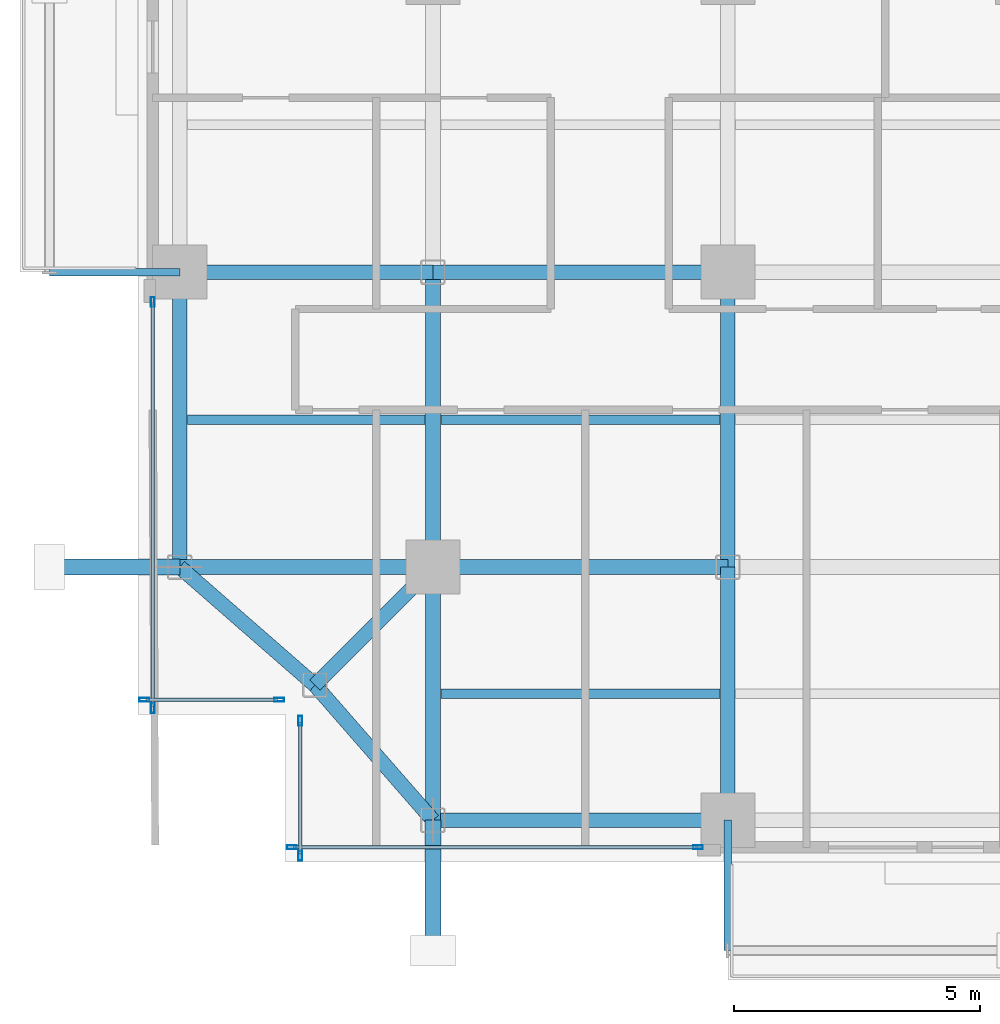
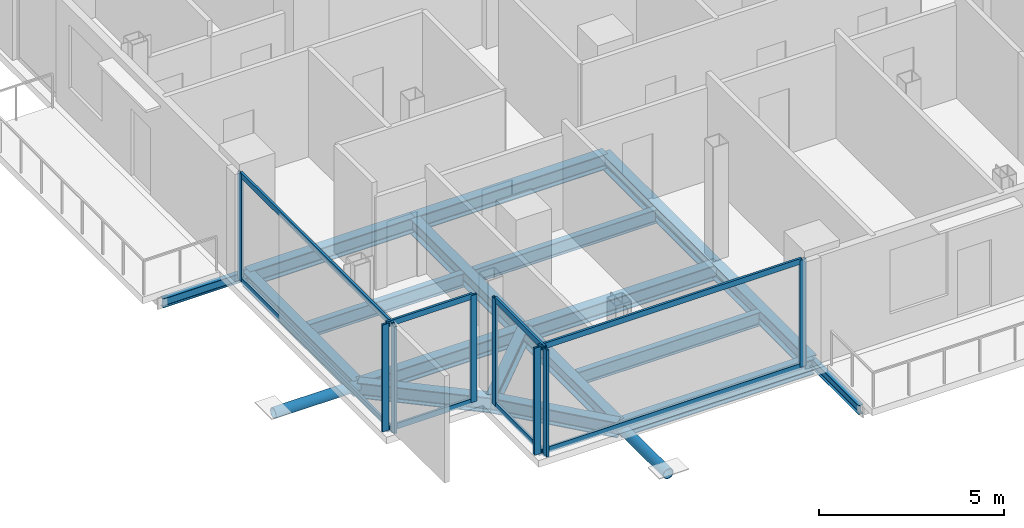
# One storey, part 2 of 24: 18 beams, 18 members, 4 elements without a shape of their own.
"""IFC4 building model written with IfcOpenShell, lengths in metres."""

from ifc_helpers import new_model, si_unit, direction, frame, origin, origin_2d, place, context, subcontext, project, spatial, hollow_rectangle, hollow_circle, i_section, extrude, material, layer, layer_set, material_profile, profile_set, type_object, element, aggregate, save


model = new_model("IFC4")

# Units and contexts
model_context = context("Model", 3, precision=1e-05, world=origin(), true_north=direction((0.0, 1.0)))
body_context = subcontext(model_context, "Body", "Model", "MODEL_VIEW")
ifc_project = project(units=[si_unit("LENGTHUNIT", "METRE"), si_unit("AREAUNIT", "SQUARE_METRE"), si_unit("VOLUMEUNIT", "CUBIC_METRE"), si_unit("PLANEANGLEUNIT", "RADIAN"), si_unit("MASSUNIT", "GRAM", prefix="KILO"), si_unit("THERMODYNAMICTEMPERATUREUNIT", "KELVIN"), si_unit("POWERUNIT", "WATT")], contexts=[model_context])

# Site, building, storey
site_placement = place(None, origin())
site = spatial("IfcSite", under=ifc_project, at=site_placement, CompositionType="ELEMENT")
building_placement = place(site_placement, origin())
building = spatial("IfcBuilding", under=site, at=building_placement, Name="Svarakhadi Broadcast Tower", CompositionType="ELEMENT")
storey_placement = place(building_placement, frame((0.0, 0.0, 156.89990234375)))
storey = spatial("IfcBuildingStorey", under=building, at=storey_placement, Name="L38", CompositionType="ELEMENT", Elevation=156.89990234375)

# Beams
ifc_material_1 = material(Name="Steel S355J2 (IS 2062 E350C)", Category="steel")
ifc_material_profile_1 = material_profile(ifc_material_1, i_section(OverallWidth=0.18994140625, OverallDepth=0.449951171875, WebThickness=0.009521484375, FlangeThickness=0.0146484375, FilletRadius=0.02099609375, at=origin_2d()), Name="NPB 450x190x78")
ifc_profile_set_1 = profile_set([ifc_material_profile_1], Name="Steel S355J2 (IS 2062 E350C)")
beam_type_1 = type_object("IfcBeamType", Name="Beam_NPB450", PredefinedType="BEAM", material=ifc_profile_set_1)
beam_1_placement = place(storey_placement, frame((1.010009765625, 9.0, -0.449951171875), z_axis=(1.0, 0.0, 0.0), x_axis=(0.0, 1.0, 0.0)))
element("IfcBeam", 1, at=beam_1_placement, inside=storey, type_object=beam_type_1, Name="L38 Secondary Composite Beam SB001", PredefinedType="BEAM", context=body_context, shape_type="SweptSolid", body=[
    extrude(i_section(OverallWidth=0.18994140625, OverallDepth=0.449951171875, WebThickness=0.009521484375, FlangeThickness=0.0146484375, FilletRadius=0.02099609375, at=origin_2d()), origin(), (0.0, 0.0, 1.0), 4.830078125),
])
for number, where, z_axis, x_axis, name in (
    (2, (6.159912109375, 3.425048828125, -0.449951171875), (1.0, 0.0, 0.0), (0.0, 1.0, 0.0), "L38 Secondary Composite Beam SB006"),
    (3, (6.159912109375, 9.0, -0.449951171875), (1.0, 0.0, 0.0), (0.0, 1.0, 0.0), "L38 Secondary Composite Beam SB007"),
):
    element("IfcBeam", number, at=place(storey_placement, frame(where, z_axis=z_axis, x_axis=x_axis)), inside=storey, type_object=beam_type_1, Name=name, PredefinedType="BEAM", context=body_context, shape_type="SweptSolid", body=[
        extrude(i_section(OverallWidth=0.18994140625, OverallDepth=0.449951171875, WebThickness=0.009521484375, FlangeThickness=0.0146484375, FilletRadius=0.02099609375, at=origin_2d()), origin(), (0.0, 0.0, 1.0), 5.68017578125),
    ])

# Curtain wall, members
ifc_material_2 = material(Name="Anodised Bronze Aluminium AA 6063-T6", Category="aluminium")
ifc_layer = layer(ifc_material_2, 0.199951171875)
ifc_layer_set = layer_set([ifc_layer], Name="Anodised Bronze Aluminium AA 6063-T6")
curtain_wall_type = type_object("IfcCurtainWallType", Name="CW_Sys_03", PredefinedType="NOTDEFINED", material=ifc_layer_set)
curtain_wall_1_placement = place(storey_placement, origin())
curtain_wall_1 = element("IfcCurtainWall", 4, at=curtain_wall_1_placement, inside=storey, type_object=curtain_wall_type, Name="L38 Unitised Facade Curtain Wall 01", PredefinedType="NOTDEFINED")
ifc_material_profile_2 = material_profile(ifc_material_2, hollow_rectangle(XDim=0.074951171875, YDim=0.199951171875, WallThickness=0.005615234375, at=origin_2d()), Name="ALU MULLION 200x75x6")
ifc_profile_set_2 = profile_set([ifc_material_profile_2], Name="Anodised Bronze Aluminium AA 6063-T6")
member_type_1 = type_object("IfcMemberType", Name="CW_Sys_03_Mul", PredefinedType="MULLION", material=ifc_profile_set_2)
member_1_placement = place(storey_placement, frame((2.87255859375, 3.300048828125, 0.0), z_axis=(0.0, 0.0, 1.0), x_axis=(0.0, -1.0, 0.0)))
member_1 = element("IfcMember", 5, at=member_1_placement, type_object=member_type_1, Name="CW-03 mullion 1", PredefinedType="MULLION", context=body_context, shape_type="SweptSolid", body=[
    extrude(hollow_rectangle(XDim=0.074951171875, YDim=0.199951171875, WallThickness=0.005615234375, at=origin_2d()), origin(), (0.0, 0.0, 1.0), 3.525146484375),
])
member_2_placement = place(storey_placement, frame((0.12744140625, 3.300048828125, 0.0), z_axis=(0.0, 0.0, 1.0), x_axis=(0.0, -1.0, 0.0)))
member_2 = element("IfcMember", 6, at=member_2_placement, type_object=member_type_1, Name="CW-03 mullion 2", PredefinedType="MULLION", context=body_context, shape_type="SweptSolid", body=[
    extrude(hollow_rectangle(XDim=0.074951171875, YDim=0.199951171875, WallThickness=0.005615234375, at=origin_2d()), origin(), (0.0, 0.0, 1.0), 3.525146484375),
])

curtain_wall_2_placement = place(storey_placement, origin())
curtain_wall_2 = element("IfcCurtainWall", 7, at=curtain_wall_2_placement, inside=storey, type_object=curtain_wall_type, Name="L38 West Curtain Wall 02", PredefinedType="NOTDEFINED")
member_3_placement = place(storey_placement, frame((0.300048828125, 3.12744140625, 0.0), z_axis=(0.0, 0.0, 1.0), x_axis=(-1.0, 0.0, 0.0)))
member_3 = element("IfcMember", 8, at=member_3_placement, type_object=member_type_1, Name="CW-03 mullion 1", PredefinedType="MULLION", context=body_context, shape_type="SweptSolid", body=[
    extrude(hollow_rectangle(XDim=0.074951171875, YDim=0.199951171875, WallThickness=0.005615234375, at=origin_2d()), origin(), (0.0, 0.0, 1.0), 3.525146484375),
])
member_4_placement = place(storey_placement, frame((0.300048828125, 11.392578125, 0.0), z_axis=(0.0, 0.0, 1.0), x_axis=(-1.0, 0.0, 0.0)))
member_4 = element("IfcMember", 9, at=member_4_placement, type_object=member_type_1, Name="CW-03 mullion 2", PredefinedType="MULLION", context=body_context, shape_type="SweptSolid", body=[
    extrude(hollow_rectangle(XDim=0.074951171875, YDim=0.199951171875, WallThickness=0.005615234375, at=origin_2d()), origin(), (0.0, 0.0, 1.0), 3.525146484375),
])

curtain_wall_3_placement = place(storey_placement, origin())
curtain_wall_3 = element("IfcCurtainWall", 10, at=curtain_wall_3_placement, inside=storey, type_object=curtain_wall_type, Name="L38 South Curtain Wall 17", PredefinedType="NOTDEFINED")
member_5_placement = place(storey_placement, frame((11.392578125, 0.300048828125, 0.0), z_axis=(0.0, 0.0, 1.0), x_axis=(0.0, -1.0, 0.0)))
member_5 = element("IfcMember", 11, at=member_5_placement, type_object=member_type_1, Name="CW-03 mullion 1", PredefinedType="MULLION", context=body_context, shape_type="SweptSolid", body=[
    extrude(hollow_rectangle(XDim=0.074951171875, YDim=0.199951171875, WallThickness=0.005615234375, at=origin_2d()), origin(), (0.0, 0.0, 1.0), 3.525146484375),
])
member_6_placement = place(storey_placement, frame((3.12744140625, 0.300048828125, 0.0), z_axis=(0.0, 0.0, 1.0), x_axis=(0.0, -1.0, 0.0)))
member_6 = element("IfcMember", 12, at=member_6_placement, type_object=member_type_1, Name="CW-03 mullion 2", PredefinedType="MULLION", context=body_context, shape_type="SweptSolid", body=[
    extrude(hollow_rectangle(XDim=0.074951171875, YDim=0.199951171875, WallThickness=0.005615234375, at=origin_2d()), origin(), (0.0, 0.0, 1.0), 3.525146484375),
])

curtain_wall_4_placement = place(storey_placement, origin())
curtain_wall_4 = element("IfcCurtainWall", 13, at=curtain_wall_4_placement, inside=storey, type_object=curtain_wall_type, Name="L38 Unitised Facade Curtain Wall 18", PredefinedType="NOTDEFINED")
member_7_placement = place(storey_placement, frame((3.300048828125, 0.12744140625, 0.0), z_axis=(0.0, 0.0, 1.0), x_axis=(-1.0, 0.0, 0.0)))
member_7 = element("IfcMember", 14, at=member_7_placement, type_object=member_type_1, Name="CW-03 mullion 1", PredefinedType="MULLION", context=body_context, shape_type="SweptSolid", body=[
    extrude(hollow_rectangle(XDim=0.074951171875, YDim=0.199951171875, WallThickness=0.005615234375, at=origin_2d()), origin(), (0.0, 0.0, 1.0), 3.525146484375),
])
member_8_placement = place(storey_placement, frame((3.300048828125, 2.87255859375, 0.0), z_axis=(0.0, 0.0, 1.0), x_axis=(-1.0, 0.0, 0.0)))
member_8 = element("IfcMember", 15, at=member_8_placement, type_object=member_type_1, Name="CW-03 mullion 2", PredefinedType="MULLION", context=body_context, shape_type="SweptSolid", body=[
    extrude(hollow_rectangle(XDim=0.074951171875, YDim=0.199951171875, WallThickness=0.005615234375, at=origin_2d()), origin(), (0.0, 0.0, 1.0), 3.525146484375),
])

# Member
ifc_material_profile_3 = material_profile(ifc_material_2, hollow_rectangle(XDim=0.070068359375, YDim=0.18505859375, WallThickness=0.0048828125, at=origin_2d()), Name="ALU TRANSOM 185x70x5")
ifc_profile_set_3 = profile_set([ifc_material_profile_3], Name="Anodised Bronze Aluminium AA 6063-T6")
member_type_2 = type_object("IfcMemberType", Name="CW_Sys_03_Trn", PredefinedType="USERDEFINED", material=ifc_profile_set_3)
member_9_placement = place(storey_placement, frame((2.8349609375, 3.300048828125, 0.03515625), z_axis=(-1.0, 0.0, 0.0), x_axis=(0.0, -1.0, 0.0)))
member_9 = element("IfcMember", 16, at=member_9_placement, type_object=member_type_2, Name="CW-03 transom 1.1", ObjectType="TRANSOM", PredefinedType="USERDEFINED", context=body_context, shape_type="SweptSolid", body=[
    extrude(hollow_rectangle(XDim=0.070068359375, YDim=0.18505859375, WallThickness=0.0048828125, at=origin_2d()), origin(), (0.0, 0.0, 1.0), 2.669921875),
])

member_10_placement = place(storey_placement, frame((2.8349609375, 3.300048828125, 3.489990234375), z_axis=(-1.0, 0.0, 0.0), x_axis=(0.0, -1.0, 0.0)))
member_10 = element("IfcMember", 17, at=member_10_placement, type_object=member_type_2, Name="CW-03 transom 1.2", ObjectType="TRANSOM", PredefinedType="USERDEFINED", context=body_context, shape_type="SweptSolid", body=[
    extrude(hollow_rectangle(XDim=0.070068359375, YDim=0.18505859375, WallThickness=0.0048828125, at=origin_2d()), origin(), (0.0, 0.0, 1.0), 2.669921875),
])

aggregate(curtain_wall_1, [member_1, member_2, member_9, member_10])

member_11_placement = place(storey_placement, frame((0.300048828125, 3.1650390625, 0.03515625), z_axis=(0.0, 1.0, 0.0), x_axis=(-1.0, 0.0, 0.0)))
member_11 = element("IfcMember", 18, at=member_11_placement, type_object=member_type_2, Name="CW-03 transom 1.1", ObjectType="TRANSOM", PredefinedType="USERDEFINED", context=body_context, shape_type="SweptSolid", body=[
    extrude(hollow_rectangle(XDim=0.070068359375, YDim=0.18505859375, WallThickness=0.0048828125, at=origin_2d()), origin(), (0.0, 0.0, 1.0), 8.18994140625),
])

member_12_placement = place(storey_placement, frame((0.300048828125, 3.1650390625, 3.489990234375), z_axis=(0.0, 1.0, 0.0), x_axis=(-1.0, 0.0, 0.0)))
member_12 = element("IfcMember", 19, at=member_12_placement, type_object=member_type_2, Name="CW-03 transom 1.2", ObjectType="TRANSOM", PredefinedType="USERDEFINED", context=body_context, shape_type="SweptSolid", body=[
    extrude(hollow_rectangle(XDim=0.070068359375, YDim=0.18505859375, WallThickness=0.0048828125, at=origin_2d()), origin(), (0.0, 0.0, 1.0), 8.18994140625),
])

aggregate(curtain_wall_2, [member_3, member_4, member_11, member_12])

member_13_placement = place(storey_placement, frame((11.35498046875, 0.300048828125, 0.03515625), z_axis=(-1.0, 0.0, 0.0), x_axis=(0.0, -1.0, 0.0)))
member_13 = element("IfcMember", 20, at=member_13_placement, type_object=member_type_2, Name="CW-03 transom 1.1", ObjectType="TRANSOM", PredefinedType="USERDEFINED", context=body_context, shape_type="SweptSolid", body=[
    extrude(hollow_rectangle(XDim=0.070068359375, YDim=0.18505859375, WallThickness=0.0048828125, at=origin_2d()), origin(), (0.0, 0.0, 1.0), 8.18994140625),
])

member_14_placement = place(storey_placement, frame((11.35498046875, 0.300048828125, 3.489990234375), z_axis=(-1.0, 0.0, 0.0), x_axis=(0.0, -1.0, 0.0)))
member_14 = element("IfcMember", 21, at=member_14_placement, type_object=member_type_2, Name="CW-03 transom 1.2", ObjectType="TRANSOM", PredefinedType="USERDEFINED", context=body_context, shape_type="SweptSolid", body=[
    extrude(hollow_rectangle(XDim=0.070068359375, YDim=0.18505859375, WallThickness=0.0048828125, at=origin_2d()), origin(), (0.0, 0.0, 1.0), 8.18994140625),
])

aggregate(curtain_wall_3, [member_5, member_6, member_13, member_14])

member_15_placement = place(storey_placement, frame((3.300048828125, 0.1650390625, 0.03515625), z_axis=(0.0, 1.0, 0.0), x_axis=(-1.0, 0.0, 0.0)))
member_15 = element("IfcMember", 22, at=member_15_placement, type_object=member_type_2, Name="CW-03 transom 1.1", ObjectType="TRANSOM", PredefinedType="USERDEFINED", context=body_context, shape_type="SweptSolid", body=[
    extrude(hollow_rectangle(XDim=0.070068359375, YDim=0.18505859375, WallThickness=0.0048828125, at=origin_2d()), origin(), (0.0, 0.0, 1.0), 2.669921875),
])

member_16_placement = place(storey_placement, frame((3.300048828125, 0.1650390625, 3.489990234375), z_axis=(0.0, 1.0, 0.0), x_axis=(-1.0, 0.0, 0.0)))
member_16 = element("IfcMember", 23, at=member_16_placement, type_object=member_type_2, Name="CW-03 transom 1.2", ObjectType="TRANSOM", PredefinedType="USERDEFINED", context=body_context, shape_type="SweptSolid", body=[
    extrude(hollow_rectangle(XDim=0.070068359375, YDim=0.18505859375, WallThickness=0.0048828125, at=origin_2d()), origin(), (0.0, 0.0, 1.0), 2.669921875),
])

aggregate(curtain_wall_4, [member_7, member_8, member_15, member_16])

# Members
ifc_material_3 = material(Name="Steel S460ML (IS 2062 E450BR)", Category="steel")
ifc_material_profile_4 = material_profile(ifc_material_3, hollow_circle(Radius=0.161865234375, WallThickness=0.01611328125, at=origin_2d()), Name="CHS 323.9x16")
ifc_profile_set_4 = profile_set([ifc_material_profile_4], Name="Steel S460ML (IS 2062 E450BR)")
member_type_3 = type_object("IfcMemberType", Name="Exo_Radial_Strut_Z2", PredefinedType="STRUT", material=ifc_profile_set_4)
for number, where, z_axis, x_axis, name in (
    (24, (6.0, -1.800048828125, -0.386962890625), (0.0, 1.0, 0.0), (-1.0, 0.0, 0.0), "L38 Exoskeleton Radial Tie Strut S01"),
    (25, (-1.800048828125, 6.0, -0.386962890625), (1.0, 0.0, 0.0), (0.0, 1.0, 0.0), "L38 Exoskeleton Radial Tie Strut W05"),
):
    element("IfcMember", number, at=place(storey_placement, frame(where, z_axis=z_axis, x_axis=x_axis)), inside=storey, type_object=member_type_3, Name=name, PredefinedType="STRUT", context=body_context, shape_type="SweptSolid", body=[
        extrude(hollow_circle(Radius=0.161865234375, WallThickness=0.01611328125, at=origin_2d()), origin(), (0.0, 0.0, 1.0), 2.650146484375),
    ])

# Beams
ifc_material_profile_5 = material_profile(ifc_material_1, i_section(OverallWidth=0.300048828125, OverallDepth=0.5, WebThickness=0.014404296875, FlangeThickness=0.028076171875, FilletRadius=0.027099609375, at=origin_2d()), Name="WPB 500x300x187")
ifc_profile_set_5 = profile_set([ifc_material_profile_5], Name="Steel S355J2 (IS 2062 E350C)")
beam_type_2 = type_object("IfcBeamType", Name="Girder_WPB500", PredefinedType="USERDEFINED", material=ifc_profile_set_5)
beam_2_placement = place(storey_placement, frame((3.60009765625, 3.60009765625, -0.474853515625), z_axis=(0.707106781187, 0.707106781187, 0.0), x_axis=(-0.707106781187, 0.707106781187, 0.0)))
element("IfcBeam", 26, at=beam_2_placement, inside=storey, type_object=beam_type_2, Name="L38 Corner Tie Girder G001", ObjectType="GIRDER", PredefinedType="USERDEFINED", context=body_context, shape_type="SweptSolid", body=[
    extrude(i_section(OverallWidth=0.300048828125, OverallDepth=0.5, WebThickness=0.014404296875, FlangeThickness=0.028076171875, FilletRadius=0.027099609375, at=origin_2d()), origin(), (0.0, 0.0, 1.0), 3.39404296875),
])
for number, where, z_axis, x_axis, name in (
    (27, (3.60009765625, 3.60009765625, -0.474853515625), (-0.753437912176, 0.657519058655, 0.0), (-0.657519058655, -0.753437912176, 0.0), "L38 Corner Tie Girder G002"),
    (28, (3.60009765625, 3.60009765625, -0.474853515625), (0.657519058655, -0.753437912176, 0.0), (0.753437912176, 0.657519058655, 0.0), "L38 Corner Tie Girder G003"),
):
    element("IfcBeam", number, at=place(storey_placement, frame(where, z_axis=z_axis, x_axis=x_axis)), inside=storey, type_object=beam_type_2, Name=name, ObjectType="GIRDER", PredefinedType="USERDEFINED", context=body_context, shape_type="SweptSolid", body=[
        extrude(i_section(OverallWidth=0.300048828125, OverallDepth=0.5, WebThickness=0.014404296875, FlangeThickness=0.028076171875, FilletRadius=0.027099609375, at=origin_2d()), origin(), (0.0, 0.0, 1.0), 3.64990234375),
    ])
beam_3_placement = place(storey_placement, frame((6.0, 0.85009765625, -0.474853515625), z_axis=(1.0, 0.0, 0.0), x_axis=(0.0, 1.0, 0.0)))
element("IfcBeam", 29, at=beam_3_placement, inside=storey, type_object=beam_type_2, Name="L38 Primary E-W Girder G004", ObjectType="GIRDER", PredefinedType="USERDEFINED", context=body_context, shape_type="SweptSolid", body=[
    extrude(i_section(OverallWidth=0.300048828125, OverallDepth=0.5, WebThickness=0.014404296875, FlangeThickness=0.028076171875, FilletRadius=0.027099609375, at=origin_2d()), origin(), (0.0, 0.0, 1.0), 6.0),
])
beam_4_placement = place(storey_placement, frame((0.85009765625, 6.0, -0.474853515625), z_axis=(1.0, 0.0, 0.0), x_axis=(0.0, 1.0, 0.0)))
element("IfcBeam", 30, at=beam_4_placement, inside=storey, type_object=beam_type_2, Name="L38 Primary E-W Girder G010", ObjectType="GIRDER", PredefinedType="USERDEFINED", context=body_context, shape_type="SweptSolid", body=[
    extrude(i_section(OverallWidth=0.300048828125, OverallDepth=0.5, WebThickness=0.014404296875, FlangeThickness=0.028076171875, FilletRadius=0.027099609375, at=origin_2d()), origin(), (0.0, 0.0, 1.0), 5.14990234375),
])
beam_5_placement = place(storey_placement, frame((6.0, 6.0, -0.474853515625), z_axis=(1.0, 0.0, 0.0), x_axis=(0.0, 1.0, 0.0)))
element("IfcBeam", 31, at=beam_5_placement, inside=storey, type_object=beam_type_2, Name="L38 Primary E-W Girder G011", ObjectType="GIRDER", PredefinedType="USERDEFINED", context=body_context, shape_type="SweptSolid", body=[
    extrude(i_section(OverallWidth=0.300048828125, OverallDepth=0.5, WebThickness=0.014404296875, FlangeThickness=0.028076171875, FilletRadius=0.027099609375, at=origin_2d()), origin(), (0.0, 0.0, 1.0), 6.0),
])
beam_6_placement = place(storey_placement, frame((0.85009765625, 12.0, -0.474853515625), z_axis=(1.0, 0.0, 0.0), x_axis=(0.0, 1.0, 0.0)))
element("IfcBeam", 32, at=beam_6_placement, inside=storey, type_object=beam_type_2, Name="L38 Primary E-W Girder G017", ObjectType="GIRDER", PredefinedType="USERDEFINED", context=body_context, shape_type="SweptSolid", body=[
    extrude(i_section(OverallWidth=0.300048828125, OverallDepth=0.5, WebThickness=0.014404296875, FlangeThickness=0.028076171875, FilletRadius=0.027099609375, at=origin_2d()), origin(), (0.0, 0.0, 1.0), 5.14990234375),
])
for number, where, z_axis, x_axis, name in (
    (33, (6.0, 12.0, -0.474853515625), (1.0, 0.0, 0.0), (0.0, 1.0, 0.0), "L38 Primary E-W Girder G018"),
    (34, (0.85009765625, 6.0, -0.474853515625), (0.0, 1.0, 0.0), (-1.0, 0.0, 0.0), "L38 Primary N-S Girder G040"),
):
    element("IfcBeam", number, at=place(storey_placement, frame(where, z_axis=z_axis, x_axis=x_axis)), inside=storey, type_object=beam_type_2, Name=name, ObjectType="GIRDER", PredefinedType="USERDEFINED", context=body_context, shape_type="SweptSolid", body=[
        extrude(i_section(OverallWidth=0.300048828125, OverallDepth=0.5, WebThickness=0.014404296875, FlangeThickness=0.028076171875, FilletRadius=0.027099609375, at=origin_2d()), origin(), (0.0, 0.0, 1.0), 6.0),
    ])
beam_7_placement = place(storey_placement, frame((6.0, 0.85009765625, -0.474853515625), z_axis=(0.0, 1.0, 0.0), x_axis=(-1.0, 0.0, 0.0)))
element("IfcBeam", 35, at=beam_7_placement, inside=storey, type_object=beam_type_2, Name="L38 Primary N-S Girder G045", ObjectType="GIRDER", PredefinedType="USERDEFINED", context=body_context, shape_type="SweptSolid", body=[
    extrude(i_section(OverallWidth=0.300048828125, OverallDepth=0.5, WebThickness=0.014404296875, FlangeThickness=0.028076171875, FilletRadius=0.027099609375, at=origin_2d()), origin(), (0.0, 0.0, 1.0), 5.14990234375),
])
beam_8_placement = place(storey_placement, frame((6.0, 6.0, -0.474853515625), z_axis=(0.0, 1.0, 0.0), x_axis=(-1.0, 0.0, 0.0)))
element("IfcBeam", 36, at=beam_8_placement, inside=storey, type_object=beam_type_2, Name="L38 Primary N-S Girder G046", ObjectType="GIRDER", PredefinedType="USERDEFINED", context=body_context, shape_type="SweptSolid", body=[
    extrude(i_section(OverallWidth=0.300048828125, OverallDepth=0.5, WebThickness=0.014404296875, FlangeThickness=0.028076171875, FilletRadius=0.027099609375, at=origin_2d()), origin(), (0.0, 0.0, 1.0), 6.0),
])
beam_9_placement = place(storey_placement, frame((12.0, 0.85009765625, -0.474853515625), z_axis=(0.0, 1.0, 0.0), x_axis=(-1.0, 0.0, 0.0)))
element("IfcBeam", 37, at=beam_9_placement, inside=storey, type_object=beam_type_2, Name="L38 Primary N-S Girder G051", ObjectType="GIRDER", PredefinedType="USERDEFINED", context=body_context, shape_type="SweptSolid", body=[
    extrude(i_section(OverallWidth=0.300048828125, OverallDepth=0.5, WebThickness=0.014404296875, FlangeThickness=0.028076171875, FilletRadius=0.027099609375, at=origin_2d()), origin(), (0.0, 0.0, 1.0), 5.14990234375),
])
beam_10_placement = place(storey_placement, frame((12.0, 6.0, -0.474853515625), z_axis=(0.0, 1.0, 0.0), x_axis=(-1.0, 0.0, 0.0)))
element("IfcBeam", 38, at=beam_10_placement, inside=storey, type_object=beam_type_2, Name="L38 Primary N-S Girder G052", ObjectType="GIRDER", PredefinedType="USERDEFINED", context=body_context, shape_type="SweptSolid", body=[
    extrude(i_section(OverallWidth=0.300048828125, OverallDepth=0.5, WebThickness=0.014404296875, FlangeThickness=0.028076171875, FilletRadius=0.027099609375, at=origin_2d()), origin(), (0.0, 0.0, 1.0), 6.0),
])
ifc_material_profile_6 = material_profile(ifc_material_1, i_section(OverallWidth=0.14990234375, OverallDepth=0.300048828125, WebThickness=0.007080078125, FlangeThickness=0.0107421875, FilletRadius=0.014892578125, at=origin_2d()), Name="NPB 300x150x37")
ifc_profile_set_6 = profile_set([ifc_material_profile_6], Name="Steel S355J2 (IS 2062 E350C)")
beam_type_3 = type_object("IfcBeamType", Name="Spandrel_NPB300", PredefinedType="SPANDREL", material=ifc_profile_set_6)
for number, where, z_axis, x_axis, name in (
    (39, (12.0, 0.85009765625, -0.375), (0.0, -1.0, 0.0), (1.0, 0.0, 0.0), "L38 Balcony Cantilever Bracket 1A"),
    (40, (0.85009765625, 12.0, -0.375), (-1.0, 0.0, 0.0), (0.0, -1.0, 0.0), "L38 Balcony Cantilever Bracket 2A"),
):
    element("IfcBeam", number, at=place(storey_placement, frame(where, z_axis=z_axis, x_axis=x_axis)), inside=storey, type_object=beam_type_3, Name=name, PredefinedType="SPANDREL", context=body_context, shape_type="SweptSolid", body=[
        extrude(i_section(OverallWidth=0.14990234375, OverallDepth=0.300048828125, WebThickness=0.007080078125, FlangeThickness=0.0107421875, FilletRadius=0.014892578125, at=origin_2d()), origin(), (0.0, 0.0, 1.0), 2.650146484375),
    ])

save(model, "model.ifc")
